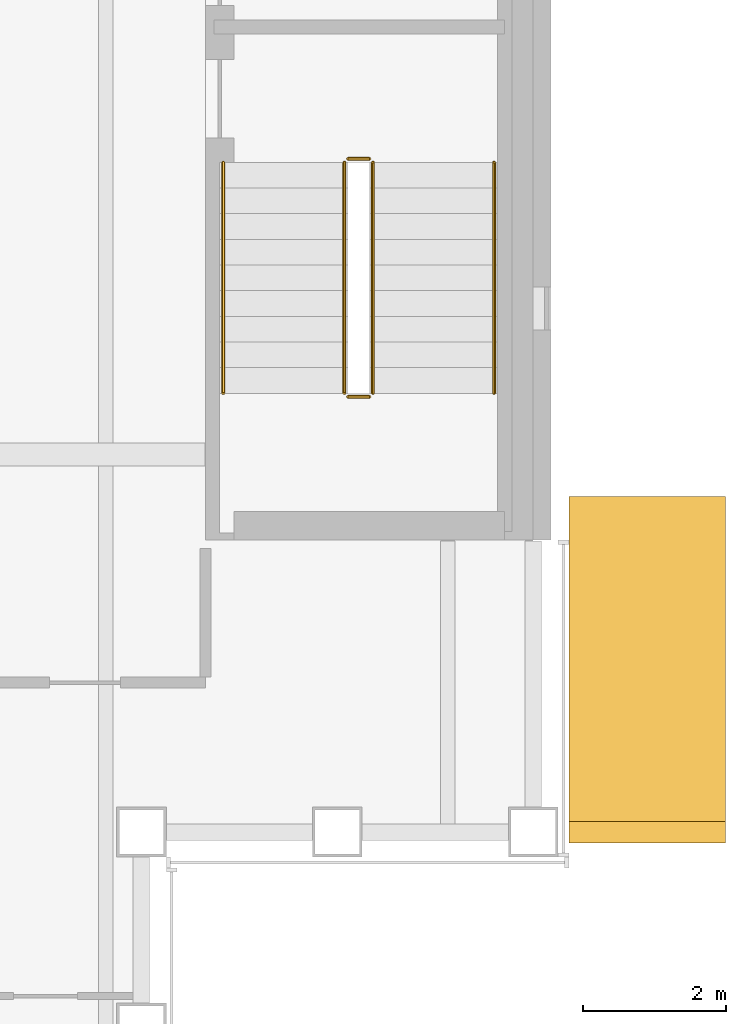
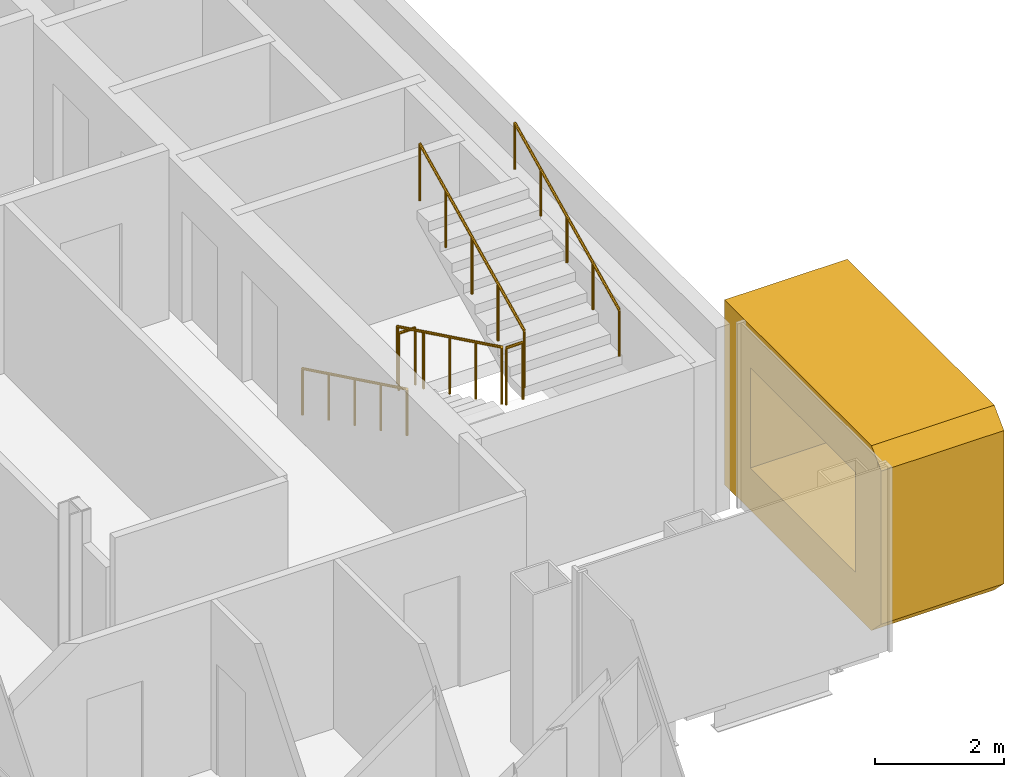
# One storey, part 15 of 17: 6 railings, 1 covering.
"""IFC4 building model written with IfcOpenShell, lengths in metres."""

from ifc_helpers import new_model, si_unit, direction, frame, origin, origin_2d, place, context, subcontext, project, spatial, polyline, circle, outline, extrude, material, type_object, element, save


model = new_model("IFC4")

# Units and contexts
model_context = context("Model", 3, precision=1e-05, world=origin(), true_north=direction((0.0, 1.0)))
body_context = subcontext(model_context, "Body", "Model", "MODEL_VIEW")
ifc_project = project(units=[si_unit("LENGTHUNIT", "METRE"), si_unit("AREAUNIT", "SQUARE_METRE"), si_unit("VOLUMEUNIT", "CUBIC_METRE"), si_unit("PLANEANGLEUNIT", "RADIAN"), si_unit("MASSUNIT", "GRAM", prefix="KILO")], contexts=[model_context])

# Site, building, storey
site_placement = place(None, origin())
site = spatial("IfcSite", under=ifc_project, at=site_placement, CompositionType="ELEMENT")
building_placement = place(site_placement, origin())
building = spatial("IfcBuilding", under=site, at=building_placement, Name="Cobrizo Arcos Hotel Tower", CompositionType="ELEMENT")
storey_placement = place(building_placement, frame((0.0, 0.0, 233.0)))
storey = spatial("IfcBuildingStorey", under=building, at=storey_placement, Name="L61", CompositionType="ELEMENT", Elevation=233.0)

# Covering
ifc_material_1 = material(Name="Aluminium 6063-T6 anodised bronze", Category="aluminium")
covering_type = type_object("IfcCoveringType", Name="FIN-F 2200", PredefinedType="CLADDING", material=ifc_material_1)
covering_placement = place(storey_placement, frame((20.89990234375, -15.050048828125, 0.0), z_axis=(1.0, 0.0, 0.0), x_axis=(0.0, 1.0, 0.0)))
element("IfcCovering", 1, at=covering_placement, inside=storey, type_object=covering_type, Name="Fin frame 325", PredefinedType="CLADDING", context=body_context, shape_type="SweptSolid", body=[
    extrude(outline(polyline([(0.0, 0.300048828125), (0.300048828125, 0.0), (4.8583984375, 0.0), (4.8583984375, 3.5), (0.300048828125, 3.5), (0.0, 3.199951171875), (0.0, 0.300048828125)]), holes=[polyline([(4.058349609375, 0.800048828125), (0.800048828125, 0.800048828125), (0.800048828125, 2.699951171875), (4.058349609375, 2.699951171875), (4.058349609375, 0.800048828125)])]), origin(), (0.0, 0.0, 1.0), 2.2001953125),
])

# Railings
ifc_material_2 = material(Name="Stainless steel railing", Category="steel")
railing_type_1 = type_object("IfcRailingType", Name="Stair guard 1100", PredefinedType="GUARDRAIL", material=ifc_material_2)
railing_1_placement = place(storey_placement, frame((17.75, -5.5, 0.175048828125)))
element("IfcRailing", 2, at=railing_1_placement, inside=storey, type_object=railing_type_1, Name="L61 ST-E stair guard 1", PredefinedType="GUARDRAIL", context=body_context, shape_type="SweptSolid", body=[
    extrude(circle(Radius=0.02392578125, at=origin_2d()), frame((0.0, 0.0, 1.076171875), z_axis=(0.0, -0.899372665325, 0.437182809435), x_axis=(1.0, 0.0, 0.0)), (0.0, 0.0, 1.0), 3.6025390625),
    extrude(circle(Radius=0.02099609375, at=origin_2d()), origin(), (0.0, 0.0, 1.0), 1.052001953125),
    extrude(circle(Radius=0.02099609375, at=origin_2d()), frame((0.0, -0.81005859375, 0.393798828125)), (0.0, 0.0, 1.0), 1.052001953125),
    extrude(circle(Radius=0.02099609375, at=origin_2d()), frame((0.0, -1.6201171875, 0.78759765625)), (0.0, 0.0, 1.0), 1.052001953125),
    extrude(circle(Radius=0.02099609375, at=origin_2d()), frame((0.0, -2.429931640625, 1.18115234375)), (0.0, 0.0, 1.0), 1.052001953125),
    extrude(circle(Radius=0.02099609375, at=origin_2d()), frame((0.0, -3.239990234375, 1.574951171875)), (0.0, 0.0, 1.0), 1.052001953125),
])
railing_2_placement = place(storey_placement, frame((17.800048828125, -8.7900390625, 1.75)))
element("IfcRailing", 3, at=railing_2_placement, inside=storey, type_object=railing_type_1, Name="L61 ST-E stair guard 2", PredefinedType="GUARDRAIL", context=body_context, shape_type="SweptSolid", body=[
    extrude(circle(Radius=0.02392578125, at=origin_2d()), frame((0.0, 0.0, 1.076171875), z_axis=(1.0, 0.0, 0.0), x_axis=(0.0, 1.0, 0.0)), (0.0, 0.0, 1.0), 0.300048828125),
    extrude(circle(Radius=0.02099609375, at=origin_2d()), origin(), (0.0, 0.0, 1.0), 1.052001953125),
    extrude(circle(Radius=0.02099609375, at=origin_2d()), frame((0.300048828125, 0.0, 0.0)), (0.0, 0.0, 1.0), 1.052001953125),
])
railing_3_placement = place(storey_placement, frame((18.14990234375, -8.739990234375, 1.925048828125)))
element("IfcRailing", 4, at=railing_3_placement, inside=storey, type_object=railing_type_1, Name="L61 ST-E stair guard 3", PredefinedType="GUARDRAIL", context=body_context, shape_type="SweptSolid", body=[
    extrude(circle(Radius=0.02392578125, at=origin_2d()), frame((0.0, 0.0, 1.076171875), z_axis=(0.0, 0.899372665325, 0.437182809435), x_axis=(-1.0, 0.0, 0.0)), (0.0, 0.0, 1.0), 3.6025390625),
    extrude(circle(Radius=0.02099609375, at=origin_2d()), origin(), (0.0, 0.0, 1.0), 1.052001953125),
    extrude(circle(Radius=0.02099609375, at=origin_2d()), frame((0.0, 0.81005859375, 0.393798828125)), (0.0, 0.0, 1.0), 1.052001953125),
    extrude(circle(Radius=0.02099609375, at=origin_2d()), frame((0.0, 1.6201171875, 0.78759765625)), (0.0, 0.0, 1.0), 1.052001953125),
    extrude(circle(Radius=0.02099609375, at=origin_2d()), frame((0.0, 2.429931640625, 1.18115234375)), (0.0, 0.0, 1.0), 1.052001953125),
    extrude(circle(Radius=0.02099609375, at=origin_2d()), frame((0.0, 3.239990234375, 1.574951171875)), (0.0, 0.0, 1.0), 1.052001953125),
])
railing_4_placement = place(storey_placement, frame((17.800048828125, -5.449951171875, 0.0)))
element("IfcRailing", 5, at=railing_4_placement, inside=storey, type_object=railing_type_1, Name="L61 ST-E stair guard 4", PredefinedType="GUARDRAIL", context=body_context, shape_type="SweptSolid", body=[
    extrude(circle(Radius=0.02392578125, at=origin_2d()), frame((0.0, 0.0, 1.076171875), z_axis=(1.0, 0.0, 0.0), x_axis=(0.0, 1.0, 0.0)), (0.0, 0.0, 1.0), 0.300048828125),
    extrude(circle(Radius=0.02099609375, at=origin_2d()), origin(), (0.0, 0.0, 1.0), 1.052001953125),
    extrude(circle(Radius=0.02099609375, at=origin_2d()), frame((0.300048828125, 0.0, 0.0)), (0.0, 0.0, 1.0), 1.052001953125),
])
railing_type_2 = type_object("IfcRailingType", Name="Stair handrail", PredefinedType="HANDRAIL", material=ifc_material_2)
railing_5_placement = place(storey_placement, frame((16.050048828125, -5.5, 0.175048828125)))
element("IfcRailing", 6, at=railing_5_placement, inside=storey, type_object=railing_type_2, Name="L61 ST-E stair handrail 1", PredefinedType="HANDRAIL", context=body_context, shape_type="SweptSolid", body=[
    extrude(circle(Radius=0.02392578125, at=origin_2d()), frame((0.0, 0.0, 0.8759765625), z_axis=(0.0, -0.899372665325, 0.437182809435), x_axis=(1.0, 0.0, 0.0)), (0.0, 0.0, 1.0), 3.6025390625),
    extrude(circle(Radius=0.02099609375, at=origin_2d()), origin(), (0.0, 0.0, 1.0), 0.851806640625),
    extrude(circle(Radius=0.02099609375, at=origin_2d()), frame((0.0, -0.81005859375, 0.393798828125)), (0.0, 0.0, 1.0), 0.851806640625),
    extrude(circle(Radius=0.02099609375, at=origin_2d()), frame((0.0, -1.6201171875, 0.78759765625)), (0.0, 0.0, 1.0), 0.851806640625),
    extrude(circle(Radius=0.02099609375, at=origin_2d()), frame((0.0, -2.429931640625, 1.18115234375)), (0.0, 0.0, 1.0), 0.851806640625),
    extrude(circle(Radius=0.02099609375, at=origin_2d()), frame((0.0, -3.239990234375, 1.574951171875)), (0.0, 0.0, 1.0), 0.851806640625),
])
railing_6_placement = place(storey_placement, frame((19.85009765625, -8.739990234375, 1.925048828125)))
element("IfcRailing", 7, at=railing_6_placement, inside=storey, type_object=railing_type_2, Name="L61 ST-E stair handrail 2", PredefinedType="HANDRAIL", context=body_context, shape_type="SweptSolid", body=[
    extrude(circle(Radius=0.02392578125, at=origin_2d()), frame((0.0, 0.0, 0.8759765625), z_axis=(0.0, 0.899372665325, 0.437182809435), x_axis=(-1.0, 0.0, 0.0)), (0.0, 0.0, 1.0), 3.6025390625),
    extrude(circle(Radius=0.02099609375, at=origin_2d()), origin(), (0.0, 0.0, 1.0), 0.851806640625),
    extrude(circle(Radius=0.02099609375, at=origin_2d()), frame((0.0, 0.81005859375, 0.393798828125)), (0.0, 0.0, 1.0), 0.851806640625),
    extrude(circle(Radius=0.02099609375, at=origin_2d()), frame((0.0, 1.6201171875, 0.78759765625)), (0.0, 0.0, 1.0), 0.851806640625),
    extrude(circle(Radius=0.02099609375, at=origin_2d()), frame((0.0, 2.429931640625, 1.18115234375)), (0.0, 0.0, 1.0), 0.851806640625),
    extrude(circle(Radius=0.02099609375, at=origin_2d()), frame((0.0, 3.239990234375, 1.574951171875)), (0.0, 0.0, 1.0), 0.851806640625),
])

save(model, "model.ifc")
